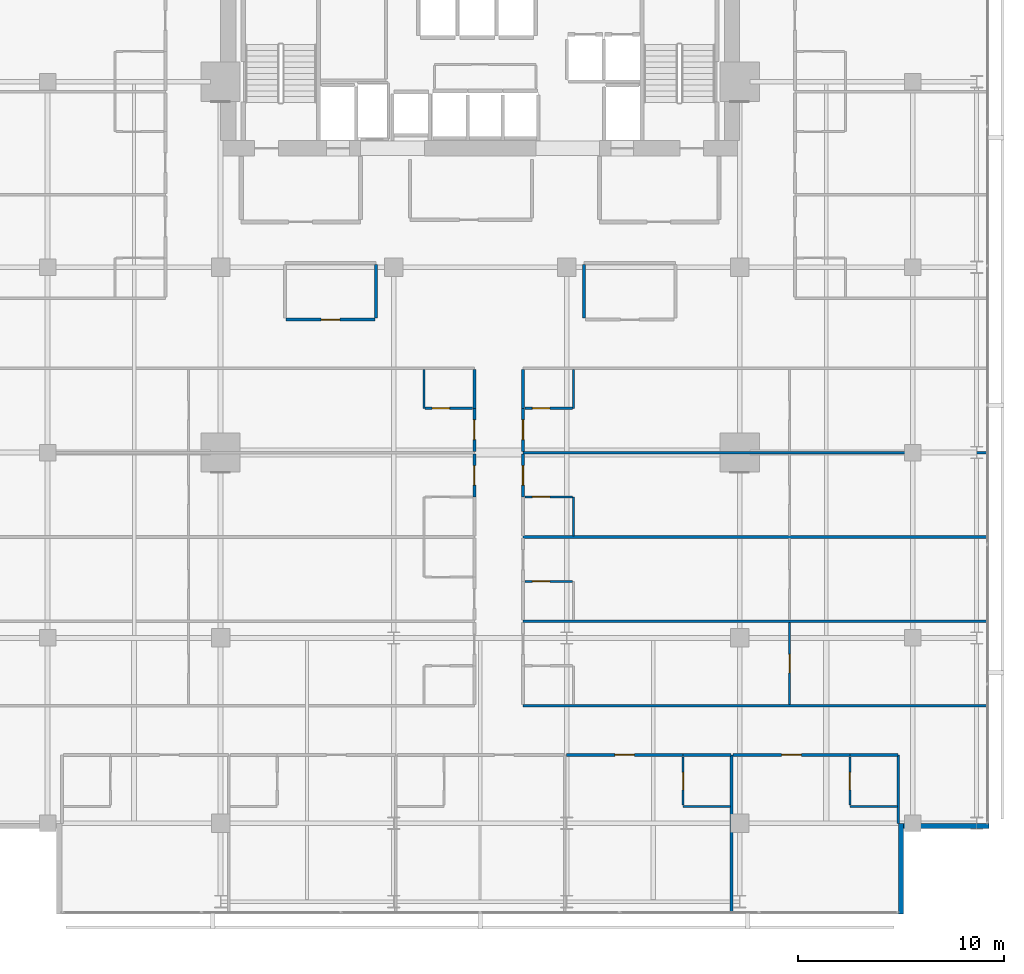
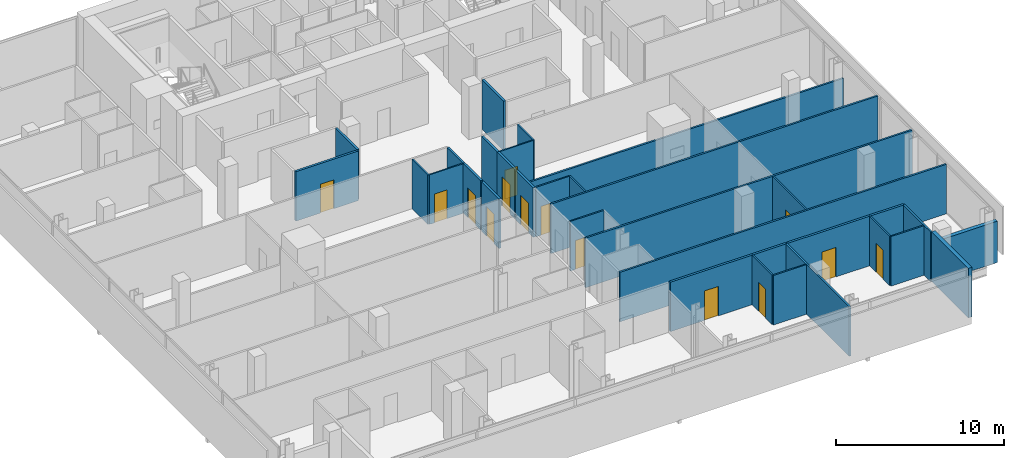
# One storey, part 28 of 34: 33 walls, 14 doors, 14 openings.
"""IFC4 building model written with IfcOpenShell, lengths in metres."""

from ifc_helpers import new_model, si_unit, direction, frame, frame_2d, origin, place, context, subcontext, project, spatial, rectangle, extrude, material, layer, layer_set, type_object, element, fill, save


model = new_model("IFC4")

# Units and contexts
model_context = context("Model", 3, precision=1e-05, world=origin(), true_north=direction((0.0, 1.0)))
body_context = subcontext(model_context, "Body", "Model", "MODEL_VIEW")
ifc_project = project(units=[si_unit("LENGTHUNIT", "METRE"), si_unit("AREAUNIT", "SQUARE_METRE"), si_unit("VOLUMEUNIT", "CUBIC_METRE"), si_unit("PLANEANGLEUNIT", "RADIAN"), si_unit("MASSUNIT", "GRAM", prefix="KILO")], contexts=[model_context])

# Site, building, storey
site_placement = place(None, origin())
site = spatial("IfcSite", under=ifc_project, at=site_placement, CompositionType="ELEMENT")
building_placement = place(site_placement, origin())
building = spatial("IfcBuilding", under=site, at=building_placement, Name="Maruvema Waterfront Hotel and Observation Tower", CompositionType="ELEMENT")
storey_placement = place(building_placement, frame((0.0, 0.0, 173.60009765625)))
storey = spatial("IfcBuildingStorey", under=building, at=storey_placement, Name="L42", CompositionType="ELEMENT", Elevation=173.60009765625)

# Wall
ifc_material_1 = material(Name="Twin-stud acoustic gypsum drywall", Category="gypsum")
ifc_layer_1 = layer(ifc_material_1, 0.14990234375, Name="Acoustic Corridor and Suite Demising Wall 150 mm")
ifc_layer_set_1 = layer_set([ifc_layer_1], Name="Twin-stud acoustic gypsum drywall")
wall_type_1 = type_object("IfcWallType", Name="Acoustic Corridor and Suite Demising Wall 150 mm", PredefinedType="PARTITIONING", material=ifc_layer_set_1)
wall_1_placement = place(storey_placement, frame((32.75, 33.530029296875, 0.0), z_axis=(0.0, 0.0, 1.0), x_axis=(0.0, 1.0, 0.0)))
element("IfcWall", 1, at=wall_1_placement, inside=storey, type_object=wall_type_1, Name="L42 L42-M1 East Wall 023", PredefinedType="PARTITIONING", context=body_context, shape_type="SweptSolid", body=[
    extrude(rectangle(XDim=2.590087890625, YDim=0.14990234375, at=frame_2d((1.294921875, 0.0))), origin(), (0.0, 0.0, 1.0), 3.60986328125),
])

# Wall, opening, door
wall_2_placement = place(storey_placement, frame((28.3798828125, 33.449951171875, 0.0), z_axis=(0.0, 0.0, 1.0), x_axis=(1.0, 0.0, 0.0)))
wall_2 = element("IfcWall", 2, at=wall_2_placement, inside=storey, type_object=wall_type_1, Name="L42 L42-M1 Front 1 024", PredefinedType="PARTITIONING", context=body_context, shape_type="SweptSolid", body=[
    extrude(rectangle(XDim=4.31005859375, YDim=0.14990234375, at=frame_2d((2.155029296875, 0.0))), origin(), (0.0, 0.0, 1.0), 3.60986328125),
])
opening_1_placement = place(wall_2_placement, frame((1.705078125, 0.0, 0.0)))
opening_1 = element("IfcOpeningElement", 3, at=opening_1_placement, cuts=wall_2, Name="Opening DR-090", PredefinedType="OPENING", context=body_context, shape_type="SweptSolid", body=[
    extrude(rectangle(XDim=0.89990234375, YDim=2.10009765625, at=frame_2d((0.449951171875, 1.050048828125))), frame((0.0, 0.0849609375, 0.0), z_axis=(0.0, -1.0, 0.0), x_axis=(1.0, 0.0, 0.0)), (0.0, 0.0, 1.0), 0.169921875),
])
ifc_material_2 = material(Name="Solid-core lacquered timber leaf", Category="wood")
door_type_1 = type_object("IfcDoorType", Name="Accessible Toilet and Room Door 900x2100 mm", OperationType="NOTDEFINED", PredefinedType="DOOR", material=ifc_material_2)
door_1_placement = place(opening_1_placement, frame((0.89990234375, 0.0, 0.0), z_axis=(0.0, 0.0, 1.0), x_axis=(-1.0, 0.0, 0.0)))
door_1 = element("IfcDoor", 4, at=door_1_placement, inside=storey, type_object=door_type_1, Name="L42 Meeting Room 1 Door", OperationType="SINGLE_SWING_RIGHT", OverallHeight=2.10009765625, OverallWidth=0.89990234375, PredefinedType="DOOR", context=body_context, shape_type="SweptSolid", body=[
    extrude(rectangle(XDim=0.89990234375, YDim=2.10009765625, at=frame_2d((0.449951171875, 1.050048828125))), frame((0.0, 0.02490234375, 0.0), z_axis=(0.0, -1.0, 0.0), x_axis=(1.0, 0.0, 0.0)), (0.0, 0.0, 1.0), 0.050048828125),
])
fill(opening_1, door_1)

# Walls
wall_3_placement = place(storey_placement, frame((42.85009765625, 33.530029296875, 0.0), z_axis=(0.0, 0.0, 1.0), x_axis=(0.0, 1.0, 0.0)))
element("IfcWall", 5, at=wall_3_placement, inside=storey, type_object=wall_type_1, Name="L42 L42-M2 West Wall 026", PredefinedType="PARTITIONING", context=body_context, shape_type="SweptSolid", body=[
    extrude(rectangle(XDim=2.590087890625, YDim=0.14990234375, at=frame_2d((1.294921875, 0.0))), origin(), (0.0, 0.0, 1.0), 3.60986328125),
])
wall_4_placement = place(storey_placement, frame((47.64990234375, 12.320068359375, 0.0), z_axis=(0.0, 0.0, 1.0), x_axis=(1.0, 0.0, 0.0)))
element("IfcWall", 6, at=wall_4_placement, inside=storey, type_object=wall_type_1, Name="L42 Bath L42-S4 Back Wall 046", PredefinedType="PARTITIONING", context=body_context, shape_type="SweptSolid", body=[
    extrude(rectangle(XDim=2.330078125, YDim=0.14990234375, at=frame_2d((1.1650390625, 0.0))), origin(), (0.0, 0.0, 1.0), 3.60986328125),
])

# Wall, opening, door
wall_5_placement = place(storey_placement, frame((41.97998046875, 12.320068359375, 0.0), z_axis=(0.0, 0.0, 1.0), x_axis=(1.0, 0.0, 0.0)))
wall_5 = element("IfcWall", 7, at=wall_5_placement, inside=storey, type_object=wall_type_1, Name="L42 Unit L42-S4 Corridor Wall 049", PredefinedType="PARTITIONING", context=body_context, shape_type="SweptSolid", body=[
    extrude(rectangle(XDim=5.669921875, YDim=0.14990234375, at=frame_2d((2.8349609375, 0.0))), origin(), (0.0, 0.0, 1.0), 3.60986328125),
])
opening_2_placement = place(wall_5_placement, frame((2.360107421875, 0.0, 0.0)))
opening_2 = element("IfcOpeningElement", 8, at=opening_2_placement, cuts=wall_5, Name="Opening DR-095", PredefinedType="OPENING", context=body_context, shape_type="SweptSolid", body=[
    extrude(rectangle(XDim=0.949951171875, YDim=2.14990234375, at=frame_2d((0.47509765625, 1.074951171875))), frame((0.0, 0.0849609375, 0.0), z_axis=(0.0, -1.0, 0.0), x_axis=(1.0, 0.0, 0.0)), (0.0, 0.0, 1.0), 0.169921875),
])
ifc_material_3 = material(Name="Acoustic solid-core hardwood timber leaf", Category="wood")
door_type_2 = type_object("IfcDoorType", Name="Guestroom Entrance Fire Door 950x2150 mm", OperationType="NOTDEFINED", PredefinedType="DOOR", material=ifc_material_3)
door_2_placement = place(opening_2_placement, frame((0.949951171875, 0.0, 0.0), z_axis=(0.0, 0.0, 1.0), x_axis=(-1.0, 0.0, 0.0)))
door_2 = element("IfcDoor", 9, at=door_2_placement, inside=storey, type_object=door_type_2, Name="L42 Unit L42-S4 Entrance Door", OperationType="SINGLE_SWING_LEFT", OverallHeight=2.14990234375, OverallWidth=0.949951171875, PredefinedType="DOOR", context=body_context, shape_type="SweptSolid", body=[
    extrude(rectangle(XDim=0.949951171875, YDim=2.14990234375, at=frame_2d((0.47509765625, 1.074951171875))), frame((0.0, 0.02490234375, 0.0), z_axis=(0.0, -1.0, 0.0), x_axis=(1.0, 0.0, 0.0)), (0.0, 0.0, 1.0), 0.050048828125),
])
fill(opening_2, door_2)

# Wall
wall_6_placement = place(storey_placement, frame((55.75, 12.320068359375, 0.0), z_axis=(0.0, 0.0, 1.0), x_axis=(1.0, 0.0, 0.0)))
element("IfcWall", 10, at=wall_6_placement, inside=storey, type_object=wall_type_1, Name="L42 Bath L42-S5 Back Wall 051", PredefinedType="PARTITIONING", context=body_context, shape_type="SweptSolid", body=[
    extrude(rectangle(XDim=2.330078125, YDim=0.14990234375, at=frame_2d((1.1650390625, 0.0))), origin(), (0.0, 0.0, 1.0), 3.60986328125),
])

# Wall, opening, door
wall_7_placement = place(storey_placement, frame((50.080078125, 12.320068359375, 0.0), z_axis=(0.0, 0.0, 1.0), x_axis=(1.0, 0.0, 0.0)))
wall_7 = element("IfcWall", 11, at=wall_7_placement, inside=storey, type_object=wall_type_1, Name="L42 Unit L42-S5 Corridor Wall 054", PredefinedType="PARTITIONING", context=body_context, shape_type="SweptSolid", body=[
    extrude(rectangle(XDim=5.669921875, YDim=0.14990234375, at=frame_2d((2.8349609375, 0.0))), origin(), (0.0, 0.0, 1.0), 3.60986328125),
])
opening_3_placement = place(wall_7_placement, frame((2.360107421875, 0.0, 0.0)))
opening_3 = element("IfcOpeningElement", 12, at=opening_3_placement, cuts=wall_7, Name="Opening DR-095", PredefinedType="OPENING", context=body_context, shape_type="SweptSolid", body=[
    extrude(rectangle(XDim=0.949951171875, YDim=2.14990234375, at=frame_2d((0.47509765625, 1.074951171875))), frame((0.0, 0.0849609375, 0.0), z_axis=(0.0, -1.0, 0.0), x_axis=(1.0, 0.0, 0.0)), (0.0, 0.0, 1.0), 0.169921875),
])
door_3_placement = place(opening_3_placement, frame((0.949951171875, 0.0, 0.0), z_axis=(0.0, 0.0, 1.0), x_axis=(-1.0, 0.0, 0.0)))
door_3 = element("IfcDoor", 13, at=door_3_placement, inside=storey, type_object=door_type_2, Name="L42 Unit L42-S5 Entrance Door", OperationType="SINGLE_SWING_LEFT", OverallHeight=2.14990234375, OverallWidth=0.949951171875, PredefinedType="DOOR", context=body_context, shape_type="SweptSolid", body=[
    extrude(rectangle(XDim=0.949951171875, YDim=2.14990234375, at=frame_2d((0.47509765625, 1.074951171875))), frame((0.0, 0.02490234375, 0.0), z_axis=(0.0, -1.0, 0.0), x_axis=(1.0, 0.0, 0.0)), (0.0, 0.0, 1.0), 0.050048828125),
])
fill(opening_3, door_3)

wall_8_placement = place(storey_placement, frame((37.52001953125, 24.85009765625, 0.0), z_axis=(0.0, 0.0, 1.0), x_axis=(0.0, 1.0, 0.0)))
wall_8 = element("IfcWall", 14, at=wall_8_placement, inside=storey, type_object=wall_type_1, Name="L42 Room L42-W3 Corridor Wall 084", PredefinedType="PARTITIONING", context=body_context, shape_type="SweptSolid", body=[
    extrude(rectangle(XDim=2.08984375, YDim=0.14990234375, at=frame_2d((1.044921875, 0.0))), origin(), (0.0, 0.0, 1.0), 3.60986328125),
])
opening_4_placement = place(wall_8_placement, frame((0.570068359375, 0.0, 0.0)))
opening_4 = element("IfcOpeningElement", 15, at=opening_4_placement, cuts=wall_8, Name="Opening DR-095", PredefinedType="OPENING", context=body_context, shape_type="SweptSolid", body=[
    extrude(rectangle(XDim=0.949951171875, YDim=2.14990234375, at=frame_2d((0.47509765625, 1.074951171875))), frame((0.0, 0.0849609375, 0.0), z_axis=(0.0, -1.0, 0.0), x_axis=(1.0, 0.0, 0.0)), (0.0, 0.0, 1.0), 0.169921875),
])
door_4_placement = place(opening_4_placement, origin())
door_4 = element("IfcDoor", 16, at=door_4_placement, inside=storey, type_object=door_type_2, Name="L42 Room L42-W3 Entrance Door", OperationType="SINGLE_SWING_LEFT", OverallHeight=2.14990234375, OverallWidth=0.949951171875, PredefinedType="DOOR", context=body_context, shape_type="SweptSolid", body=[
    extrude(rectangle(XDim=0.949951171875, YDim=2.14990234375, at=frame_2d((0.47509765625, 1.074951171875))), frame((0.0, 0.02490234375, 0.0), z_axis=(0.0, -1.0, 0.0), x_axis=(1.0, 0.0, 0.0)), (0.0, 0.0, 1.0), 0.050048828125),
])
fill(opening_4, door_4)

wall_9_placement = place(storey_placement, frame((39.8798828125, 24.85009765625, 0.0), z_axis=(0.0, 0.0, 1.0), x_axis=(0.0, 1.0, 0.0)))
wall_9 = element("IfcWall", 17, at=wall_9_placement, inside=storey, type_object=wall_type_1, Name="L42 Room L42-E3 Corridor Wall 089", PredefinedType="PARTITIONING", context=body_context, shape_type="SweptSolid", body=[
    extrude(rectangle(XDim=2.08984375, YDim=0.14990234375, at=frame_2d((1.044921875, 0.0))), origin(), (0.0, 0.0, 1.0), 3.60986328125),
])
opening_5_placement = place(wall_9_placement, frame((0.570068359375, 0.0, 0.0)))
opening_5 = element("IfcOpeningElement", 18, at=opening_5_placement, cuts=wall_9, Name="Opening DR-095", PredefinedType="OPENING", context=body_context, shape_type="SweptSolid", body=[
    extrude(rectangle(XDim=0.949951171875, YDim=2.14990234375, at=frame_2d((0.47509765625, 1.074951171875))), frame((0.0, 0.0849609375, 0.0), z_axis=(0.0, -1.0, 0.0), x_axis=(1.0, 0.0, 0.0)), (0.0, 0.0, 1.0), 0.169921875),
])
door_5_placement = place(opening_5_placement, frame((0.949951171875, 0.0, 0.0), z_axis=(0.0, 0.0, 1.0), x_axis=(-1.0, 0.0, 0.0)))
door_5 = element("IfcDoor", 19, at=door_5_placement, inside=storey, type_object=door_type_2, Name="L42 Room L42-E3 Entrance Door", OperationType="SINGLE_SWING_RIGHT", OverallHeight=2.14990234375, OverallWidth=0.949951171875, PredefinedType="DOOR", context=body_context, shape_type="SweptSolid", body=[
    extrude(rectangle(XDim=0.949951171875, YDim=2.14990234375, at=frame_2d((0.47509765625, 1.074951171875))), frame((0.0, 0.02490234375, 0.0), z_axis=(0.0, -1.0, 0.0), x_axis=(1.0, 0.0, 0.0)), (0.0, 0.0, 1.0), 0.050048828125),
])
fill(opening_5, door_5)

wall_10_placement = place(storey_placement, frame((37.52001953125, 27.06005859375, 0.0), z_axis=(0.0, 0.0, 1.0), x_axis=(0.0, 1.0, 0.0)))
wall_10 = element("IfcWall", 20, at=wall_10_placement, inside=storey, type_object=wall_type_1, Name="L42 Room L42-W4 Corridor Wall 095", PredefinedType="PARTITIONING", context=body_context, shape_type="SweptSolid", body=[
    extrude(rectangle(XDim=2.08984375, YDim=0.14990234375, at=frame_2d((1.044921875, 0.0))), origin(), (0.0, 0.0, 1.0), 3.60986328125),
])
opening_6_placement = place(wall_10_placement, frame((0.570068359375, 0.0, 0.0)))
opening_6 = element("IfcOpeningElement", 21, at=opening_6_placement, cuts=wall_10, Name="Opening DR-095", PredefinedType="OPENING", context=body_context, shape_type="SweptSolid", body=[
    extrude(rectangle(XDim=0.949951171875, YDim=2.14990234375, at=frame_2d((0.47509765625, 1.074951171875))), frame((0.0, 0.0849609375, 0.0), z_axis=(0.0, -1.0, 0.0), x_axis=(1.0, 0.0, 0.0)), (0.0, 0.0, 1.0), 0.169921875),
])
door_6_placement = place(opening_6_placement, origin())
door_6 = element("IfcDoor", 22, at=door_6_placement, inside=storey, type_object=door_type_2, Name="L42 Room L42-W4 Entrance Door", OperationType="SINGLE_SWING_LEFT", OverallHeight=2.14990234375, OverallWidth=0.949951171875, PredefinedType="DOOR", context=body_context, shape_type="SweptSolid", body=[
    extrude(rectangle(XDim=0.949951171875, YDim=2.14990234375, at=frame_2d((0.47509765625, 1.074951171875))), frame((0.0, 0.02490234375, 0.0), z_axis=(0.0, -1.0, 0.0), x_axis=(1.0, 0.0, 0.0)), (0.0, 0.0, 1.0), 0.050048828125),
])
fill(opening_6, door_6)

# Wall
wall_11_placement = place(storey_placement, frame((37.52001953125, 29.14990234375, 0.0), z_axis=(0.0, 0.0, 1.0), x_axis=(0.0, 1.0, 0.0)))
element("IfcWall", 23, at=wall_11_placement, inside=storey, type_object=wall_type_1, Name="L42 Bath L42-W4 Wall 096", PredefinedType="PARTITIONING", context=body_context, shape_type="SweptSolid", body=[
    extrude(rectangle(XDim=1.89013671875, YDim=0.14990234375, at=frame_2d((0.945068359375, 0.0))), origin(), (0.0, 0.0, 1.0), 3.60986328125),
])

# Wall, opening, door
wall_12_placement = place(storey_placement, frame((39.8798828125, 27.06005859375, 0.0), z_axis=(0.0, 0.0, 1.0), x_axis=(0.0, 1.0, 0.0)))
wall_12 = element("IfcWall", 24, at=wall_12_placement, inside=storey, type_object=wall_type_1, Name="L42 Room L42-E4 Corridor Wall 100", PredefinedType="PARTITIONING", context=body_context, shape_type="SweptSolid", body=[
    extrude(rectangle(XDim=2.08984375, YDim=0.14990234375, at=frame_2d((1.044921875, 0.0))), origin(), (0.0, 0.0, 1.0), 3.60986328125),
])
opening_7_placement = place(wall_12_placement, frame((0.570068359375, 0.0, 0.0)))
opening_7 = element("IfcOpeningElement", 25, at=opening_7_placement, cuts=wall_12, Name="Opening DR-095", PredefinedType="OPENING", context=body_context, shape_type="SweptSolid", body=[
    extrude(rectangle(XDim=0.949951171875, YDim=2.14990234375, at=frame_2d((0.47509765625, 1.074951171875))), frame((0.0, 0.0849609375, 0.0), z_axis=(0.0, -1.0, 0.0), x_axis=(1.0, 0.0, 0.0)), (0.0, 0.0, 1.0), 0.169921875),
])
door_7_placement = place(opening_7_placement, frame((0.949951171875, 0.0, 0.0), z_axis=(0.0, 0.0, 1.0), x_axis=(-1.0, 0.0, 0.0)))
door_7 = element("IfcDoor", 26, at=door_7_placement, inside=storey, type_object=door_type_2, Name="L42 Room L42-E4 Entrance Door", OperationType="SINGLE_SWING_RIGHT", OverallHeight=2.14990234375, OverallWidth=0.949951171875, PredefinedType="DOOR", context=body_context, shape_type="SweptSolid", body=[
    extrude(rectangle(XDim=0.949951171875, YDim=2.14990234375, at=frame_2d((0.47509765625, 1.074951171875))), frame((0.0, 0.02490234375, 0.0), z_axis=(0.0, -1.0, 0.0), x_axis=(1.0, 0.0, 0.0)), (0.0, 0.0, 1.0), 0.050048828125),
])
fill(opening_7, door_7)

# Walls
wall_13_placement = place(storey_placement, frame((39.8798828125, 29.14990234375, 0.0), z_axis=(0.0, 0.0, 1.0), x_axis=(0.0, 1.0, 0.0)))
element("IfcWall", 27, at=wall_13_placement, inside=storey, type_object=wall_type_1, Name="L42 Bath L42-E4 Wall 101", PredefinedType="PARTITIONING", context=body_context, shape_type="SweptSolid", body=[
    extrude(rectangle(XDim=1.89013671875, YDim=0.14990234375, at=frame_2d((0.945068359375, 0.0))), origin(), (0.0, 0.0, 1.0), 3.60986328125),
])
ifc_material_4 = material(Name="Moisture-resistant cement-board drywall", Category="gypsum")
ifc_layer_2 = layer(ifc_material_4, 0.10009765625, Name="En-Suite Moisture-Resistant Partition 100 mm")
ifc_layer_set_2 = layer_set([ifc_layer_2], Name="Moisture-resistant cement-board drywall")
wall_type_2 = type_object("IfcWallType", Name="En-Suite Moisture-Resistant Partition 100 mm", PredefinedType="PARTITIONING", material=ifc_layer_set_2)
wall_14_placement = place(storey_placement, frame((47.64990234375, 9.820068359375, 0.0), z_axis=(0.0, 0.0, 1.0), x_axis=(1.0, 0.0, 0.0)))
element("IfcWall", 28, at=wall_14_placement, inside=storey, type_object=wall_type_2, Name="L42 En-Suite L42-S4 South 047", PredefinedType="PARTITIONING", context=body_context, shape_type="SweptSolid", body=[
    extrude(rectangle(XDim=2.31005859375, YDim=0.10009765625, at=frame_2d((1.155029296875, 0.0))), origin(), (0.0, 0.0, 1.0), 3.60986328125),
])

# Wall, opening, door
wall_15_placement = place(storey_placement, frame((47.64990234375, 9.8798828125, 0.0), z_axis=(0.0, 0.0, 1.0), x_axis=(0.0, 1.0, 0.0)))
wall_15 = element("IfcWall", 29, at=wall_15_placement, inside=storey, type_object=wall_type_2, Name="L42 En-Suite L42-S4 West 048", PredefinedType="PARTITIONING", context=body_context, shape_type="SweptSolid", body=[
    extrude(rectangle(XDim=2.340087890625, YDim=0.10009765625, at=frame_2d((1.169921875, 0.0))), origin(), (0.0, 0.0, 1.0), 3.60986328125),
])
opening_8_placement = place(wall_15_placement, frame((0.7451171875, 0.0, 0.0)))
opening_8 = element("IfcOpeningElement", 30, at=opening_8_placement, cuts=wall_15, Name="Opening DR-085", PredefinedType="OPENING", context=body_context, shape_type="SweptSolid", body=[
    extrude(rectangle(XDim=0.85009765625, YDim=2.10009765625, at=frame_2d((0.425048828125, 1.050048828125))), frame((0.0, 0.06005859375, 0.0), z_axis=(0.0, -1.0, 0.0), x_axis=(1.0, 0.0, 0.0)), (0.0, 0.0, 1.0), 0.1201171875),
])
ifc_material_5 = material(Name="Moisture-resistant solid timber leaf", Category="wood")
door_type_3 = type_object("IfcDoorType", Name="En-Suite Bathroom Door 850x2100 mm", OperationType="NOTDEFINED", PredefinedType="DOOR", material=ifc_material_5)
door_8_placement = place(opening_8_placement, origin())
door_8 = element("IfcDoor", 31, at=door_8_placement, inside=storey, type_object=door_type_3, Name="L42 En-Suite L42-S4 Door", OperationType="SINGLE_SWING_RIGHT", OverallHeight=2.10009765625, OverallWidth=0.85009765625, PredefinedType="DOOR", context=body_context, shape_type="SweptSolid", body=[
    extrude(rectangle(XDim=0.85009765625, YDim=2.10009765625, at=frame_2d((0.425048828125, 1.050048828125))), frame((0.0, 0.02490234375, 0.0), z_axis=(0.0, -1.0, 0.0), x_axis=(1.0, 0.0, 0.0)), (0.0, 0.0, 1.0), 0.050048828125),
])
fill(opening_8, door_8)

# Wall
wall_16_placement = place(storey_placement, frame((55.75, 9.820068359375, 0.0), z_axis=(0.0, 0.0, 1.0), x_axis=(1.0, 0.0, 0.0)))
element("IfcWall", 32, at=wall_16_placement, inside=storey, type_object=wall_type_2, Name="L42 En-Suite L42-S5 South 052", PredefinedType="PARTITIONING", context=body_context, shape_type="SweptSolid", body=[
    extrude(rectangle(XDim=2.31005859375, YDim=0.10009765625, at=frame_2d((1.155029296875, 0.0))), origin(), (0.0, 0.0, 1.0), 3.60986328125),
])

# Wall, opening, door
wall_17_placement = place(storey_placement, frame((55.75, 9.8798828125, 0.0), z_axis=(0.0, 0.0, 1.0), x_axis=(0.0, 1.0, 0.0)))
wall_17 = element("IfcWall", 33, at=wall_17_placement, inside=storey, type_object=wall_type_2, Name="L42 En-Suite L42-S5 West 053", PredefinedType="PARTITIONING", context=body_context, shape_type="SweptSolid", body=[
    extrude(rectangle(XDim=2.340087890625, YDim=0.10009765625, at=frame_2d((1.169921875, 0.0))), origin(), (0.0, 0.0, 1.0), 3.60986328125),
])
opening_9_placement = place(wall_17_placement, frame((0.7451171875, 0.0, 0.0)))
opening_9 = element("IfcOpeningElement", 34, at=opening_9_placement, cuts=wall_17, Name="Opening DR-085", PredefinedType="OPENING", context=body_context, shape_type="SweptSolid", body=[
    extrude(rectangle(XDim=0.85009765625, YDim=2.10009765625, at=frame_2d((0.425048828125, 1.050048828125))), frame((0.0, 0.06005859375, 0.0), z_axis=(0.0, -1.0, 0.0), x_axis=(1.0, 0.0, 0.0)), (0.0, 0.0, 1.0), 0.1201171875),
])
door_9_placement = place(opening_9_placement, origin())
door_9 = element("IfcDoor", 35, at=door_9_placement, inside=storey, type_object=door_type_3, Name="L42 En-Suite L42-S5 Door", OperationType="SINGLE_SWING_RIGHT", OverallHeight=2.10009765625, OverallWidth=0.85009765625, PredefinedType="DOOR", context=body_context, shape_type="SweptSolid", body=[
    extrude(rectangle(XDim=0.85009765625, YDim=2.10009765625, at=frame_2d((0.425048828125, 1.050048828125))), frame((0.0, 0.02490234375, 0.0), z_axis=(0.0, -1.0, 0.0), x_axis=(1.0, 0.0, 0.0)), (0.0, 0.0, 1.0), 0.050048828125),
])
fill(opening_9, door_9)

wall_18_placement = place(storey_placement, frame((52.818359375, 14.760009765625, 0.0), z_axis=(0.0, 0.0, 1.0), x_axis=(0.0, 1.0, 0.0)))
wall_18 = element("IfcWall", 36, at=wall_18_placement, inside=storey, type_object=wall_type_2, Name="L42 Suite L42-E1 Split 068", PredefinedType="PARTITIONING", context=body_context, shape_type="SweptSolid", body=[
    extrude(rectangle(XDim=3.97998046875, YDim=0.10009765625, at=frame_2d((1.989990234375, 0.0))), origin(), (0.0, 0.0, 1.0), 3.60986328125),
])
opening_10_placement = place(wall_18_placement, frame((1.5400390625, 0.0, 0.0)))
opening_10 = element("IfcOpeningElement", 37, at=opening_10_placement, cuts=wall_18, Name="Opening DR-090", PredefinedType="OPENING", context=body_context, shape_type="SweptSolid", body=[
    extrude(rectangle(XDim=0.89990234375, YDim=2.10009765625, at=frame_2d((0.449951171875, 1.050048828125))), frame((0.0, 0.06005859375, 0.0), z_axis=(0.0, -1.0, 0.0), x_axis=(1.0, 0.0, 0.0)), (0.0, 0.0, 1.0), 0.1201171875),
])
door_10_placement = place(opening_10_placement, frame((0.89990234375, 0.0, 0.0), z_axis=(0.0, 0.0, 1.0), x_axis=(-1.0, 0.0, 0.0)))
door_10 = element("IfcDoor", 38, at=door_10_placement, inside=storey, type_object=door_type_1, Name="L42 Suite L42-E1 Bedroom Door", OperationType="SINGLE_SWING_LEFT", OverallHeight=2.10009765625, OverallWidth=0.89990234375, PredefinedType="DOOR", context=body_context, shape_type="SweptSolid", body=[
    extrude(rectangle(XDim=0.89990234375, YDim=2.10009765625, at=frame_2d((0.449951171875, 1.050048828125))), frame((0.0, 0.02490234375, 0.0), z_axis=(0.0, -1.0, 0.0), x_axis=(1.0, 0.0, 0.0)), (0.0, 0.0, 1.0), 0.050048828125),
])
fill(opening_10, door_10)

wall_19_placement = place(storey_placement, frame((39.97998046875, 20.75, 0.0), z_axis=(0.0, 0.0, 1.0), x_axis=(1.0, 0.0, 0.0)))
wall_19 = element("IfcWall", 39, at=wall_19_placement, inside=storey, type_object=wall_type_2, Name="L42 En-Suite L42-E2 N 079", PredefinedType="PARTITIONING", context=body_context, shape_type="SweptSolid", body=[
    extrude(rectangle(XDim=2.300048828125, YDim=0.10009765625, at=frame_2d((1.14990234375, 0.0))), origin(), (0.0, 0.0, 1.0), 3.60986328125),
])
opening_11_placement = place(wall_19_placement, frame((0.35009765625, 0.0, 0.0)))
opening_11 = element("IfcOpeningElement", 40, at=opening_11_placement, cuts=wall_19, Name="Opening DR-085", PredefinedType="OPENING", context=body_context, shape_type="SweptSolid", body=[
    extrude(rectangle(XDim=0.85009765625, YDim=2.10009765625, at=frame_2d((0.425048828125, 1.050048828125))), frame((0.0, 0.06005859375, 0.0), z_axis=(0.0, -1.0, 0.0), x_axis=(1.0, 0.0, 0.0)), (0.0, 0.0, 1.0), 0.1201171875),
])
door_11_placement = place(opening_11_placement, origin())
door_11 = element("IfcDoor", 41, at=door_11_placement, inside=storey, type_object=door_type_3, Name="L42 En-Suite L42-E2 Door", OperationType="SINGLE_SWING_LEFT", OverallHeight=2.10009765625, OverallWidth=0.85009765625, PredefinedType="DOOR", context=body_context, shape_type="SweptSolid", body=[
    extrude(rectangle(XDim=0.85009765625, YDim=2.10009765625, at=frame_2d((0.425048828125, 1.050048828125))), frame((0.0, 0.02490234375, 0.0), z_axis=(0.0, -1.0, 0.0), x_axis=(1.0, 0.0, 0.0)), (0.0, 0.0, 1.0), 0.050048828125),
])
fill(opening_11, door_11)

# Wall
wall_20_placement = place(storey_placement, frame((42.330078125, 22.9599609375, 0.0), z_axis=(0.0, 0.0, 1.0), x_axis=(0.0, 1.0, 0.0)))
element("IfcWall", 42, at=wall_20_placement, inside=storey, type_object=wall_type_2, Name="L42 En-Suite L42-E3 E 090", PredefinedType="PARTITIONING", context=body_context, shape_type="SweptSolid", body=[
    extrude(rectangle(XDim=1.89013671875, YDim=0.10009765625, at=frame_2d((0.945068359375, 0.0))), origin(), (0.0, 0.0, 1.0), 3.60986328125),
])

# Wall, opening, door
wall_21_placement = place(storey_placement, frame((39.97998046875, 24.85009765625, 0.0), z_axis=(0.0, 0.0, 1.0), x_axis=(1.0, 0.0, 0.0)))
wall_21 = element("IfcWall", 43, at=wall_21_placement, inside=storey, type_object=wall_type_2, Name="L42 En-Suite L42-E3 N 091", PredefinedType="PARTITIONING", context=body_context, shape_type="SweptSolid", body=[
    extrude(rectangle(XDim=2.300048828125, YDim=0.10009765625, at=frame_2d((1.14990234375, 0.0))), origin(), (0.0, 0.0, 1.0), 3.60986328125),
])
opening_12_placement = place(wall_21_placement, frame((0.35009765625, 0.0, 0.0)))
opening_12 = element("IfcOpeningElement", 44, at=opening_12_placement, cuts=wall_21, Name="Opening DR-085", PredefinedType="OPENING", context=body_context, shape_type="SweptSolid", body=[
    extrude(rectangle(XDim=0.85009765625, YDim=2.10009765625, at=frame_2d((0.425048828125, 1.050048828125))), frame((0.0, 0.06005859375, 0.0), z_axis=(0.0, -1.0, 0.0), x_axis=(1.0, 0.0, 0.0)), (0.0, 0.0, 1.0), 0.1201171875),
])
door_12_placement = place(opening_12_placement, origin())
door_12 = element("IfcDoor", 45, at=door_12_placement, inside=storey, type_object=door_type_3, Name="L42 En-Suite L42-E3 Door", OperationType="SINGLE_SWING_LEFT", OverallHeight=2.10009765625, OverallWidth=0.85009765625, PredefinedType="DOOR", context=body_context, shape_type="SweptSolid", body=[
    extrude(rectangle(XDim=0.85009765625, YDim=2.10009765625, at=frame_2d((0.425048828125, 1.050048828125))), frame((0.0, 0.02490234375, 0.0), z_axis=(0.0, -1.0, 0.0), x_axis=(1.0, 0.0, 0.0)), (0.0, 0.0, 1.0), 0.050048828125),
])
fill(opening_12, door_12)

# Wall
wall_22_placement = place(storey_placement, frame((35.070068359375, 29.14990234375, 0.0), z_axis=(0.0, 0.0, 1.0), x_axis=(0.0, 1.0, 0.0)))
element("IfcWall", 46, at=wall_22_placement, inside=storey, type_object=wall_type_2, Name="L42 En-Suite L42-W4 W 097", PredefinedType="PARTITIONING", context=body_context, shape_type="SweptSolid", body=[
    extrude(rectangle(XDim=1.89013671875, YDim=0.10009765625, at=frame_2d((0.945068359375, 0.0))), origin(), (0.0, 0.0, 1.0), 3.60986328125),
])

# Wall, opening, door
wall_23_placement = place(storey_placement, frame((35.1201171875, 29.14990234375, 0.0), z_axis=(0.0, 0.0, 1.0), x_axis=(1.0, 0.0, 0.0)))
wall_23 = element("IfcWall", 47, at=wall_23_placement, inside=storey, type_object=wall_type_2, Name="L42 En-Suite L42-W4 S 098", PredefinedType="PARTITIONING", context=body_context, shape_type="SweptSolid", body=[
    extrude(rectangle(XDim=2.2998046875, YDim=0.10009765625, at=frame_2d((1.14990234375, 0.0))), origin(), (0.0, 0.0, 1.0), 3.60986328125),
])
opening_13_placement = place(wall_23_placement, frame((0.35009765625, 0.0, 0.0)))
opening_13 = element("IfcOpeningElement", 48, at=opening_13_placement, cuts=wall_23, Name="Opening DR-085", PredefinedType="OPENING", context=body_context, shape_type="SweptSolid", body=[
    extrude(rectangle(XDim=0.85009765625, YDim=2.10009765625, at=frame_2d((0.425048828125, 1.050048828125))), frame((0.0, 0.06005859375, 0.0), z_axis=(0.0, -1.0, 0.0), x_axis=(1.0, 0.0, 0.0)), (0.0, 0.0, 1.0), 0.1201171875),
])
door_13_placement = place(opening_13_placement, frame((0.85009765625, 0.0, 0.0), z_axis=(0.0, 0.0, 1.0), x_axis=(-1.0, 0.0, 0.0)))
door_13 = element("IfcDoor", 49, at=door_13_placement, inside=storey, type_object=door_type_3, Name="L42 En-Suite L42-W4 Door", OperationType="SINGLE_SWING_RIGHT", OverallHeight=2.10009765625, OverallWidth=0.85009765625, PredefinedType="DOOR", context=body_context, shape_type="SweptSolid", body=[
    extrude(rectangle(XDim=0.85009765625, YDim=2.10009765625, at=frame_2d((0.425048828125, 1.050048828125))), frame((0.0, 0.02490234375, 0.0), z_axis=(0.0, -1.0, 0.0), x_axis=(1.0, 0.0, 0.0)), (0.0, 0.0, 1.0), 0.050048828125),
])
fill(opening_13, door_13)

# Wall
wall_24_placement = place(storey_placement, frame((42.330078125, 29.14990234375, 0.0), z_axis=(0.0, 0.0, 1.0), x_axis=(0.0, 1.0, 0.0)))
element("IfcWall", 50, at=wall_24_placement, inside=storey, type_object=wall_type_2, Name="L42 En-Suite L42-E4 E 102", PredefinedType="PARTITIONING", context=body_context, shape_type="SweptSolid", body=[
    extrude(rectangle(XDim=1.89013671875, YDim=0.10009765625, at=frame_2d((0.945068359375, 0.0))), origin(), (0.0, 0.0, 1.0), 3.60986328125),
])

# Wall, opening, door
wall_25_placement = place(storey_placement, frame((39.97998046875, 29.14990234375, 0.0), z_axis=(0.0, 0.0, 1.0), x_axis=(1.0, 0.0, 0.0)))
wall_25 = element("IfcWall", 51, at=wall_25_placement, inside=storey, type_object=wall_type_2, Name="L42 En-Suite L42-E4 S 103", PredefinedType="PARTITIONING", context=body_context, shape_type="SweptSolid", body=[
    extrude(rectangle(XDim=2.300048828125, YDim=0.10009765625, at=frame_2d((1.14990234375, 0.0))), origin(), (0.0, 0.0, 1.0), 3.60986328125),
])
opening_14_placement = place(wall_25_placement, frame((0.35009765625, 0.0, 0.0)))
opening_14 = element("IfcOpeningElement", 52, at=opening_14_placement, cuts=wall_25, Name="Opening DR-085", PredefinedType="OPENING", context=body_context, shape_type="SweptSolid", body=[
    extrude(rectangle(XDim=0.85009765625, YDim=2.10009765625, at=frame_2d((0.425048828125, 1.050048828125))), frame((0.0, 0.06005859375, 0.0), z_axis=(0.0, -1.0, 0.0), x_axis=(1.0, 0.0, 0.0)), (0.0, 0.0, 1.0), 0.1201171875),
])
door_14_placement = place(opening_14_placement, frame((0.85009765625, 0.0, 0.0), z_axis=(0.0, 0.0, 1.0), x_axis=(-1.0, 0.0, 0.0)))
door_14 = element("IfcDoor", 53, at=door_14_placement, inside=storey, type_object=door_type_3, Name="L42 En-Suite L42-E4 Door", OperationType="SINGLE_SWING_LEFT", OverallHeight=2.10009765625, OverallWidth=0.85009765625, PredefinedType="DOOR", context=body_context, shape_type="SweptSolid", body=[
    extrude(rectangle(XDim=0.85009765625, YDim=2.10009765625, at=frame_2d((0.425048828125, 1.050048828125))), frame((0.0, 0.02490234375, 0.0), z_axis=(0.0, -1.0, 0.0), x_axis=(1.0, 0.0, 0.0)), (0.0, 0.0, 1.0), 0.050048828125),
])
fill(opening_14, door_14)

# Walls
ifc_material_6 = material(Name="Precast concrete C45/55 with honed Pernambuco granite facing", Category="masonry")
ifc_layer_3 = layer(ifc_material_6, 0.260009765625, Name="Exterior Granite Clad Spandrel and Pier Wall 260 mm")
ifc_layer_set_3 = layer_set([ifc_layer_3], Name="Precast concrete C45/55 with honed Pernambuco granite facing")
wall_type_3 = type_object("IfcWallType", Name="Exterior Granite Clad Spandrel and Pier Wall 260 mm", PredefinedType="SOLIDWALL", material=ifc_layer_set_3)
wall_26_placement = place(storey_placement, frame((58.22998046875, 9.0, 0.0), z_axis=(0.0, 0.0, 1.0), x_axis=(0.0, -1.0, 0.0)))
element("IfcWall", 54, at=wall_26_placement, inside=storey, type_object=wall_type_3, Name="L42 Corner Notch Granite Pier Wall SE1", PredefinedType="SOLIDWALL", context=body_context, shape_type="SweptSolid", body=[
    extrude(rectangle(XDim=4.39990234375, YDim=0.260009765625, at=frame_2d((2.199951171875, 0.0))), origin(), (0.0, 0.0, 1.0), 3.60986328125),
])
wall_27_placement = place(storey_placement, frame((62.5, 8.8701171875, 0.0), z_axis=(0.0, 0.0, 1.0), x_axis=(-1.0, 0.0, 0.0)))
element("IfcWall", 55, at=wall_27_placement, inside=storey, type_object=wall_type_3, Name="L42 Corner Notch Granite Pier Wall SE2", PredefinedType="SOLIDWALL", context=body_context, shape_type="SweptSolid", body=[
    extrude(rectangle(XDim=4.39990234375, YDim=0.260009765625, at=frame_2d((2.199951171875, 0.0))), origin(), (0.0, 0.0, 1.0), 3.0068359375),
])
ifc_material_7 = material(Name="Acoustic gypsum plasterboard drywall", Category="gypsum")
ifc_layer_4 = layer(ifc_material_7, 0.125, Name="Guestroom Acoustic Demising Wall 125 mm")
ifc_layer_set_4 = layer_set([ifc_layer_4], Name="Acoustic gypsum plasterboard drywall")
wall_type_4 = type_object("IfcWallType", Name="Guestroom Acoustic Demising Wall 125 mm", PredefinedType="PARTITIONING", material=ifc_layer_set_4)
wall_28_placement = place(storey_placement, frame((58.10009765625, 9.0, 0.0), z_axis=(0.0, 0.0, 1.0), x_axis=(0.0, 1.0, 0.0)))
element("IfcWall", 56, at=wall_28_placement, inside=storey, type_object=wall_type_4, Name="L42 Z2 S East End 030", PredefinedType="PARTITIONING", context=body_context, shape_type="SweptSolid", body=[
    extrude(rectangle(XDim=3.320068359375, YDim=0.125, at=frame_2d((1.66015625, 0.0))), origin(), (0.0, 0.0, 1.0), 3.60986328125),
])
wall_29_placement = place(storey_placement, frame((50.0, 4.699951171875, 0.0), z_axis=(0.0, 0.0, 1.0), x_axis=(0.0, 1.0, 0.0)))
element("IfcWall", 57, at=wall_29_placement, inside=storey, type_object=wall_type_4, Name="L42 Z2 S Demising 5 050", PredefinedType="PARTITIONING", context=body_context, shape_type="SweptSolid", body=[
    extrude(rectangle(XDim=7.6201171875, YDim=0.125, at=frame_2d((3.81005859375, 0.0))), origin(), (0.0, 0.0, 1.0), 3.60986328125),
])
for number, where, z_axis, x_axis, name in (
    (58, (39.8798828125, 14.699951171875, 0.0), (0.0, 0.0, 1.0), (1.0, 0.0, 0.0), "L42 Z2 E Bot End 056"),
    (59, (39.8798828125, 18.800048828125, 0.0), (0.0, 0.0, 1.0), (1.0, 0.0, 0.0), "L42 Z2 E Demising 2 070"),
    (60, (39.8798828125, 22.89990234375, 0.0), (0.0, 0.0, 1.0), (1.0, 0.0, 0.0), "L42 Z2 E Demising 3 082"),
):
    element("IfcWall", number, at=place(storey_placement, frame(where, z_axis=z_axis, x_axis=x_axis)), inside=storey, type_object=wall_type_4, Name=name, PredefinedType="PARTITIONING", context=body_context, shape_type="SweptSolid", body=[
        extrude(rectangle(XDim=22.52001953125, YDim=0.125, at=frame_2d((11.260009765625, 0.0))), origin(), (0.0, 0.0, 1.0), 3.60986328125),
    ])
wall_30_placement = place(storey_placement, frame((39.8798828125, 27.0, 0.0), z_axis=(0.0, 0.0, 1.0), x_axis=(1.0, 0.0, 0.0)))
element("IfcWall", 61, at=wall_30_placement, inside=storey, type_object=wall_type_4, Name="L42 Z2 E Demising 4 094", PredefinedType="PARTITIONING", context=body_context, shape_type="SweptSolid", body=[
    extrude(rectangle(XDim=22.52001953125, YDim=0.125, at=frame_2d((11.260009765625, 0.0))), origin(), (0.0, 0.0, 1.0), 2.409912109375),
])

save(model, "model.ifc")
